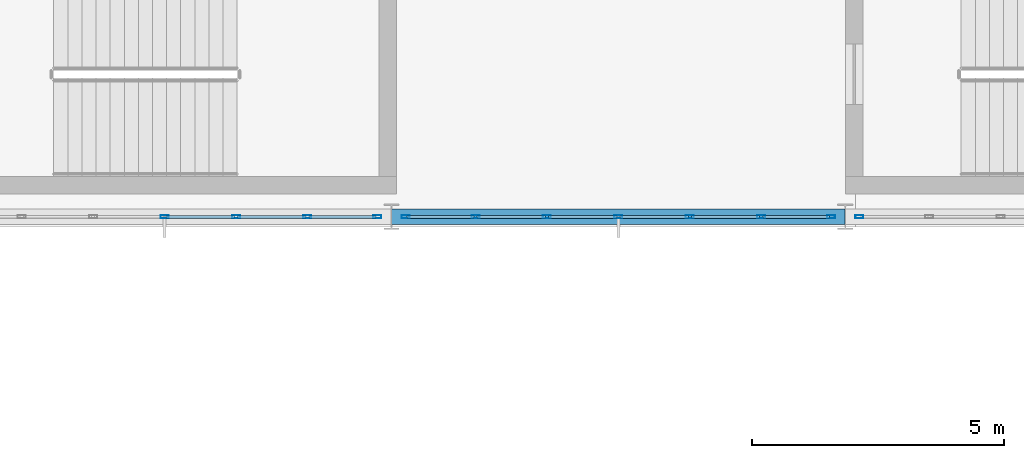
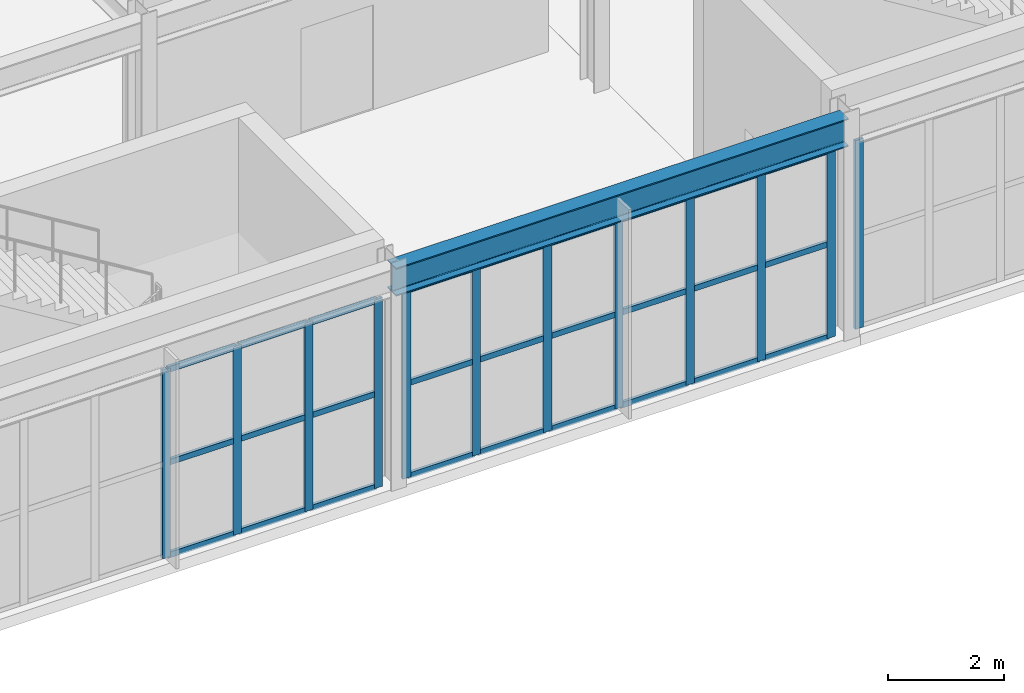
# One storey, part 31 of 112: 39 members, 1 beam, 3 elements without a shape of their own.
"""IFC4 building model written with IfcOpenShell, lengths in metres."""

from ifc_helpers import new_model, si_unit, direction, frame, origin, origin_2d, place, context, subcontext, project, spatial, hollow_rectangle, i_section, extrude, material, material_profile, profile_set, type_object, element, aggregate, save


model = new_model("IFC4")

# Units and contexts
model_context = context("Model", 3, precision=1e-05, world=origin(), true_north=direction((0.0, 1.0)))
body_context = subcontext(model_context, "Body", "Model", "MODEL_VIEW")
ifc_project = project(units=[si_unit("LENGTHUNIT", "METRE"), si_unit("AREAUNIT", "SQUARE_METRE"), si_unit("VOLUMEUNIT", "CUBIC_METRE"), si_unit("PLANEANGLEUNIT", "RADIAN"), si_unit("MASSUNIT", "GRAM", prefix="KILO")], contexts=[model_context])

# Site, building, storey
site_placement = place(None, origin())
site = spatial("IfcSite", under=ifc_project, at=site_placement, CompositionType="ELEMENT")
building_placement = place(site_placement, origin())
building = spatial("IfcBuilding", under=site, at=building_placement, Name="Kaldris Quays Convention Centre", CompositionType="ELEMENT")
storey_placement = place(building_placement, frame((0.0, 0.0, 16.800048828125)))
storey = spatial("IfcBuildingStorey", under=building, at=storey_placement, Name="L03", CompositionType="ELEMENT", Elevation=16.800048828125)

# Curtain wall, members
ifc_material_1 = material(Name="Anodized aluminium AW-6060 and triple glazing", Category="aluminium")
curtain_wall_type = type_object("IfcCurtainWallType", Name="UNITISED CURTAIN WALL CW04", PredefinedType="NOTDEFINED", material=ifc_material_1)
curtain_wall_1_placement = place(storey_placement, origin())
curtain_wall_1 = element("IfcCurtainWall", 1, at=curtain_wall_1_placement, inside=storey, type_object=curtain_wall_type, Name="L03 Unitised Curtain Wall CW04 124", PredefinedType="NOTDEFINED")
ifc_material_2 = material(Name="Anodized aluminium AW-6060", Category="aluminium")
ifc_material_profile_1 = material_profile(ifc_material_2, hollow_rectangle(XDim=0.06005859375, YDim=0.159912109375, WallThickness=0.00390625, at=origin_2d()), Name="RHS 160x60x4")
ifc_profile_set_1 = profile_set([ifc_material_profile_1], Name="Anodized aluminium AW-6060")
member_type_1 = type_object("IfcMemberType", Name="CURTAIN MULLION CWM1", PredefinedType="MULLION", material=ifc_profile_set_1)
member_1_placement = place(storey_placement, frame((114.5, 38.0, 0.0), z_axis=(0.0, 0.0, 1.0), x_axis=(0.0, 1.0, 0.0)))
member_1 = element("IfcMember", 2, at=member_1_placement, type_object=member_type_1, Name="CW04 mullion 4", PredefinedType="MULLION", context=body_context, shape_type="SweptSolid", body=[
    extrude(hollow_rectangle(XDim=0.06005859375, YDim=0.159912109375, WallThickness=0.00390625, at=origin_2d()), origin(), (0.0, 0.0, 1.0), 3.96484375),
])
member_2_placement = place(storey_placement, frame((115.916748046875, 38.0, 0.0), z_axis=(0.0, 0.0, 1.0), x_axis=(0.0, 1.0, 0.0)))
member_2 = element("IfcMember", 3, at=member_2_placement, type_object=member_type_1, Name="CW04 mullion 5", PredefinedType="MULLION", context=body_context, shape_type="SweptSolid", body=[
    extrude(hollow_rectangle(XDim=0.06005859375, YDim=0.159912109375, WallThickness=0.00390625, at=origin_2d()), origin(), (0.0, 0.0, 1.0), 3.96484375),
])
member_3_placement = place(storey_placement, frame((117.333251953125, 38.0, 0.0), z_axis=(0.0, 0.0, 1.0), x_axis=(0.0, 1.0, 0.0)))
member_3 = element("IfcMember", 4, at=member_3_placement, type_object=member_type_1, Name="CW04 mullion 6", PredefinedType="MULLION", context=body_context, shape_type="SweptSolid", body=[
    extrude(hollow_rectangle(XDim=0.06005859375, YDim=0.159912109375, WallThickness=0.00390625, at=origin_2d()), origin(), (0.0, 0.0, 1.0), 3.96484375),
])
member_4_placement = place(storey_placement, frame((118.719970703125, 38.0, 0.0), z_axis=(0.0, 0.0, 1.0), x_axis=(0.0, 1.0, 0.0)))
member_4 = element("IfcMember", 5, at=member_4_placement, type_object=member_type_1, Name="CW04 mullion 7", PredefinedType="MULLION", context=body_context, shape_type="SweptSolid", body=[
    extrude(hollow_rectangle(XDim=0.06005859375, YDim=0.159912109375, WallThickness=0.00390625, at=origin_2d()), origin(), (0.0, 0.0, 1.0), 3.96484375),
])

curtain_wall_2_placement = place(storey_placement, origin())
curtain_wall_2 = element("IfcCurtainWall", 6, at=curtain_wall_2_placement, inside=storey, type_object=curtain_wall_type, Name="L03 Unitised Curtain Wall CW04 125", PredefinedType="NOTDEFINED")
member_5_placement = place(storey_placement, frame((119.280029296875, 38.0, 0.0), z_axis=(0.0, 0.0, 1.0), x_axis=(0.0, 1.0, 0.0)))
member_5 = element("IfcMember", 7, at=member_5_placement, type_object=member_type_1, Name="CW04 mullion 1", PredefinedType="MULLION", context=body_context, shape_type="SweptSolid", body=[
    extrude(hollow_rectangle(XDim=0.06005859375, YDim=0.159912109375, WallThickness=0.00390625, at=origin_2d()), origin(), (0.0, 0.0, 1.0), 3.96484375),
])
member_6_placement = place(storey_placement, frame((120.666748046875, 38.0, 0.0), z_axis=(0.0, 0.0, 1.0), x_axis=(0.0, 1.0, 0.0)))
member_6 = element("IfcMember", 8, at=member_6_placement, type_object=member_type_1, Name="CW04 mullion 2", PredefinedType="MULLION", context=body_context, shape_type="SweptSolid", body=[
    extrude(hollow_rectangle(XDim=0.06005859375, YDim=0.159912109375, WallThickness=0.00390625, at=origin_2d()), origin(), (0.0, 0.0, 1.0), 3.96484375),
])
member_7_placement = place(storey_placement, frame((122.083251953125, 38.0, 0.0), z_axis=(0.0, 0.0, 1.0), x_axis=(0.0, 1.0, 0.0)))
member_7 = element("IfcMember", 9, at=member_7_placement, type_object=member_type_1, Name="CW04 mullion 3", PredefinedType="MULLION", context=body_context, shape_type="SweptSolid", body=[
    extrude(hollow_rectangle(XDim=0.06005859375, YDim=0.159912109375, WallThickness=0.00390625, at=origin_2d()), origin(), (0.0, 0.0, 1.0), 3.96484375),
])
member_8_placement = place(storey_placement, frame((123.5, 38.0, 0.0), z_axis=(0.0, 0.0, 1.0), x_axis=(0.0, 1.0, 0.0)))
member_8 = element("IfcMember", 10, at=member_8_placement, type_object=member_type_1, Name="CW04 mullion 4", PredefinedType="MULLION", context=body_context, shape_type="SweptSolid", body=[
    extrude(hollow_rectangle(XDim=0.06005859375, YDim=0.159912109375, WallThickness=0.00390625, at=origin_2d()), origin(), (0.0, 0.0, 1.0), 3.96484375),
])
member_9_placement = place(storey_placement, frame((124.916748046875, 38.0, 0.0), z_axis=(0.0, 0.0, 1.0), x_axis=(0.0, 1.0, 0.0)))
member_9 = element("IfcMember", 11, at=member_9_placement, type_object=member_type_1, Name="CW04 mullion 5", PredefinedType="MULLION", context=body_context, shape_type="SweptSolid", body=[
    extrude(hollow_rectangle(XDim=0.06005859375, YDim=0.159912109375, WallThickness=0.00390625, at=origin_2d()), origin(), (0.0, 0.0, 1.0), 3.96484375),
])
member_10_placement = place(storey_placement, frame((126.333251953125, 38.0, 0.0), z_axis=(0.0, 0.0, 1.0), x_axis=(0.0, 1.0, 0.0)))
member_10 = element("IfcMember", 12, at=member_10_placement, type_object=member_type_1, Name="CW04 mullion 6", PredefinedType="MULLION", context=body_context, shape_type="SweptSolid", body=[
    extrude(hollow_rectangle(XDim=0.06005859375, YDim=0.159912109375, WallThickness=0.00390625, at=origin_2d()), origin(), (0.0, 0.0, 1.0), 3.96484375),
])
member_11_placement = place(storey_placement, frame((127.719970703125, 38.0, 0.0), z_axis=(0.0, 0.0, 1.0), x_axis=(0.0, 1.0, 0.0)))
member_11 = element("IfcMember", 13, at=member_11_placement, type_object=member_type_1, Name="CW04 mullion 7", PredefinedType="MULLION", context=body_context, shape_type="SweptSolid", body=[
    extrude(hollow_rectangle(XDim=0.06005859375, YDim=0.159912109375, WallThickness=0.00390625, at=origin_2d()), origin(), (0.0, 0.0, 1.0), 3.96484375),
])

# Curtain wall, member
curtain_wall_3_placement = place(storey_placement, origin())
curtain_wall_3 = element("IfcCurtainWall", 14, at=curtain_wall_3_placement, inside=storey, type_object=curtain_wall_type, Name="L03 Unitised Curtain Wall CW04 126", PredefinedType="NOTDEFINED")
member_12_placement = place(storey_placement, frame((128.280029296875, 38.0, 0.0), z_axis=(0.0, 0.0, 1.0), x_axis=(0.0, 1.0, 0.0)))
member_12 = element("IfcMember", 15, at=member_12_placement, type_object=member_type_1, Name="CW04 mullion 1", PredefinedType="MULLION", context=body_context, shape_type="SweptSolid", body=[
    extrude(hollow_rectangle(XDim=0.06005859375, YDim=0.159912109375, WallThickness=0.00390625, at=origin_2d()), origin(), (0.0, 0.0, 1.0), 3.96484375),
])
aggregate(curtain_wall_3, [member_12])

# Member
ifc_material_profile_2 = material_profile(ifc_material_2, hollow_rectangle(XDim=0.06005859375, YDim=0.1201171875, WallThickness=0.00390625, at=origin_2d()), Name="RHS 120x60x4")
ifc_profile_set_2 = profile_set([ifc_material_profile_2], Name="Anodized aluminium AW-6060")
member_type_2 = type_object("IfcMemberType", Name="CURTAIN TRANSOM CWT1", PredefinedType="USERDEFINED", material=ifc_profile_set_2)
member_13_placement = place(storey_placement, frame((114.530029296875, 38.0, 0.030029296875), z_axis=(1.0, 0.0, 0.0), x_axis=(0.0, 1.0, 0.0)))
member_13 = element("IfcMember", 16, at=member_13_placement, type_object=member_type_2, Name="CW04 transom 4.1", ObjectType="TRANSOM", PredefinedType="USERDEFINED", context=body_context, shape_type="SweptSolid", body=[
    extrude(hollow_rectangle(XDim=0.06005859375, YDim=0.1201171875, WallThickness=0.00390625, at=origin_2d()), origin(), (0.0, 0.0, 1.0), 1.356689453125),
])

member_14_placement = place(storey_placement, frame((114.530029296875, 38.0, 1.98193359375), z_axis=(1.0, 0.0, 0.0), x_axis=(0.0, 1.0, 0.0)))
member_14 = element("IfcMember", 17, at=member_14_placement, type_object=member_type_2, Name="CW04 transom 4.2", ObjectType="TRANSOM", PredefinedType="USERDEFINED", context=body_context, shape_type="SweptSolid", body=[
    extrude(hollow_rectangle(XDim=0.06005859375, YDim=0.1201171875, WallThickness=0.00390625, at=origin_2d()), origin(), (0.0, 0.0, 1.0), 1.356689453125),
])

member_15_placement = place(storey_placement, frame((114.530029296875, 38.0, 3.93505859375), z_axis=(1.0, 0.0, 0.0), x_axis=(0.0, 1.0, 0.0)))
member_15 = element("IfcMember", 18, at=member_15_placement, type_object=member_type_2, Name="CW04 transom 4.3", ObjectType="TRANSOM", PredefinedType="USERDEFINED", context=body_context, shape_type="SweptSolid", body=[
    extrude(hollow_rectangle(XDim=0.06005859375, YDim=0.1201171875, WallThickness=0.00390625, at=origin_2d()), origin(), (0.0, 0.0, 1.0), 1.356689453125),
])

member_16_placement = place(storey_placement, frame((115.94677734375, 38.0, 0.030029296875), z_axis=(1.0, 0.0, 0.0), x_axis=(0.0, 1.0, 0.0)))
member_16 = element("IfcMember", 19, at=member_16_placement, type_object=member_type_2, Name="CW04 transom 5.1", ObjectType="TRANSOM", PredefinedType="USERDEFINED", context=body_context, shape_type="SweptSolid", body=[
    extrude(hollow_rectangle(XDim=0.06005859375, YDim=0.1201171875, WallThickness=0.00390625, at=origin_2d()), origin(), (0.0, 0.0, 1.0), 1.3564453125),
])

member_17_placement = place(storey_placement, frame((115.94677734375, 38.0, 1.98193359375), z_axis=(1.0, 0.0, 0.0), x_axis=(0.0, 1.0, 0.0)))
member_17 = element("IfcMember", 20, at=member_17_placement, type_object=member_type_2, Name="CW04 transom 5.2", ObjectType="TRANSOM", PredefinedType="USERDEFINED", context=body_context, shape_type="SweptSolid", body=[
    extrude(hollow_rectangle(XDim=0.06005859375, YDim=0.1201171875, WallThickness=0.00390625, at=origin_2d()), origin(), (0.0, 0.0, 1.0), 1.3564453125),
])

member_18_placement = place(storey_placement, frame((115.94677734375, 38.0, 3.93505859375), z_axis=(1.0, 0.0, 0.0), x_axis=(0.0, 1.0, 0.0)))
member_18 = element("IfcMember", 21, at=member_18_placement, type_object=member_type_2, Name="CW04 transom 5.3", ObjectType="TRANSOM", PredefinedType="USERDEFINED", context=body_context, shape_type="SweptSolid", body=[
    extrude(hollow_rectangle(XDim=0.06005859375, YDim=0.1201171875, WallThickness=0.00390625, at=origin_2d()), origin(), (0.0, 0.0, 1.0), 1.3564453125),
])

member_19_placement = place(storey_placement, frame((117.36328125, 38.0, 0.030029296875), z_axis=(1.0, 0.0, 0.0), x_axis=(0.0, 1.0, 0.0)))
member_19 = element("IfcMember", 22, at=member_19_placement, type_object=member_type_2, Name="CW04 transom 6.1", ObjectType="TRANSOM", PredefinedType="USERDEFINED", context=body_context, shape_type="SweptSolid", body=[
    extrude(hollow_rectangle(XDim=0.06005859375, YDim=0.1201171875, WallThickness=0.00390625, at=origin_2d()), origin(), (0.0, 0.0, 1.0), 1.32666015625),
])

member_20_placement = place(storey_placement, frame((117.36328125, 38.0, 1.98193359375), z_axis=(1.0, 0.0, 0.0), x_axis=(0.0, 1.0, 0.0)))
member_20 = element("IfcMember", 23, at=member_20_placement, type_object=member_type_2, Name="CW04 transom 6.2", ObjectType="TRANSOM", PredefinedType="USERDEFINED", context=body_context, shape_type="SweptSolid", body=[
    extrude(hollow_rectangle(XDim=0.06005859375, YDim=0.1201171875, WallThickness=0.00390625, at=origin_2d()), origin(), (0.0, 0.0, 1.0), 1.32666015625),
])

member_21_placement = place(storey_placement, frame((117.36328125, 38.0, 3.93505859375), z_axis=(1.0, 0.0, 0.0), x_axis=(0.0, 1.0, 0.0)))
member_21 = element("IfcMember", 24, at=member_21_placement, type_object=member_type_2, Name="CW04 transom 6.3", ObjectType="TRANSOM", PredefinedType="USERDEFINED", context=body_context, shape_type="SweptSolid", body=[
    extrude(hollow_rectangle(XDim=0.06005859375, YDim=0.1201171875, WallThickness=0.00390625, at=origin_2d()), origin(), (0.0, 0.0, 1.0), 1.32666015625),
])

aggregate(curtain_wall_1, [member_1, member_2, member_3, member_4, member_13, member_14, member_15, member_16, member_17, member_18, member_19, member_20, member_21])

member_22_placement = place(storey_placement, frame((119.31005859375, 38.0, 0.030029296875), z_axis=(1.0, 0.0, 0.0), x_axis=(0.0, 1.0, 0.0)))
member_22 = element("IfcMember", 25, at=member_22_placement, type_object=member_type_2, Name="CW04 transom 1.1", ObjectType="TRANSOM", PredefinedType="USERDEFINED", context=body_context, shape_type="SweptSolid", body=[
    extrude(hollow_rectangle(XDim=0.06005859375, YDim=0.1201171875, WallThickness=0.00390625, at=origin_2d()), origin(), (0.0, 0.0, 1.0), 1.32666015625),
])

member_23_placement = place(storey_placement, frame((119.31005859375, 38.0, 1.98193359375), z_axis=(1.0, 0.0, 0.0), x_axis=(0.0, 1.0, 0.0)))
member_23 = element("IfcMember", 26, at=member_23_placement, type_object=member_type_2, Name="CW04 transom 1.2", ObjectType="TRANSOM", PredefinedType="USERDEFINED", context=body_context, shape_type="SweptSolid", body=[
    extrude(hollow_rectangle(XDim=0.06005859375, YDim=0.1201171875, WallThickness=0.00390625, at=origin_2d()), origin(), (0.0, 0.0, 1.0), 1.32666015625),
])

member_24_placement = place(storey_placement, frame((119.31005859375, 38.0, 3.93505859375), z_axis=(1.0, 0.0, 0.0), x_axis=(0.0, 1.0, 0.0)))
member_24 = element("IfcMember", 27, at=member_24_placement, type_object=member_type_2, Name="CW04 transom 1.3", ObjectType="TRANSOM", PredefinedType="USERDEFINED", context=body_context, shape_type="SweptSolid", body=[
    extrude(hollow_rectangle(XDim=0.06005859375, YDim=0.1201171875, WallThickness=0.00390625, at=origin_2d()), origin(), (0.0, 0.0, 1.0), 1.32666015625),
])

member_25_placement = place(storey_placement, frame((120.69677734375, 38.0, 0.030029296875), z_axis=(1.0, 0.0, 0.0), x_axis=(0.0, 1.0, 0.0)))
member_25 = element("IfcMember", 28, at=member_25_placement, type_object=member_type_2, Name="CW04 transom 2.1", ObjectType="TRANSOM", PredefinedType="USERDEFINED", context=body_context, shape_type="SweptSolid", body=[
    extrude(hollow_rectangle(XDim=0.06005859375, YDim=0.1201171875, WallThickness=0.00390625, at=origin_2d()), origin(), (0.0, 0.0, 1.0), 1.3564453125),
])

member_26_placement = place(storey_placement, frame((120.69677734375, 38.0, 1.98193359375), z_axis=(1.0, 0.0, 0.0), x_axis=(0.0, 1.0, 0.0)))
member_26 = element("IfcMember", 29, at=member_26_placement, type_object=member_type_2, Name="CW04 transom 2.2", ObjectType="TRANSOM", PredefinedType="USERDEFINED", context=body_context, shape_type="SweptSolid", body=[
    extrude(hollow_rectangle(XDim=0.06005859375, YDim=0.1201171875, WallThickness=0.00390625, at=origin_2d()), origin(), (0.0, 0.0, 1.0), 1.3564453125),
])

member_27_placement = place(storey_placement, frame((120.69677734375, 38.0, 3.93505859375), z_axis=(1.0, 0.0, 0.0), x_axis=(0.0, 1.0, 0.0)))
member_27 = element("IfcMember", 30, at=member_27_placement, type_object=member_type_2, Name="CW04 transom 2.3", ObjectType="TRANSOM", PredefinedType="USERDEFINED", context=body_context, shape_type="SweptSolid", body=[
    extrude(hollow_rectangle(XDim=0.06005859375, YDim=0.1201171875, WallThickness=0.00390625, at=origin_2d()), origin(), (0.0, 0.0, 1.0), 1.3564453125),
])

member_28_placement = place(storey_placement, frame((122.11328125, 38.0, 0.030029296875), z_axis=(1.0, 0.0, 0.0), x_axis=(0.0, 1.0, 0.0)))
member_28 = element("IfcMember", 31, at=member_28_placement, type_object=member_type_2, Name="CW04 transom 3.1", ObjectType="TRANSOM", PredefinedType="USERDEFINED", context=body_context, shape_type="SweptSolid", body=[
    extrude(hollow_rectangle(XDim=0.06005859375, YDim=0.1201171875, WallThickness=0.00390625, at=origin_2d()), origin(), (0.0, 0.0, 1.0), 1.356689453125),
])

member_29_placement = place(storey_placement, frame((122.11328125, 38.0, 1.98193359375), z_axis=(1.0, 0.0, 0.0), x_axis=(0.0, 1.0, 0.0)))
member_29 = element("IfcMember", 32, at=member_29_placement, type_object=member_type_2, Name="CW04 transom 3.2", ObjectType="TRANSOM", PredefinedType="USERDEFINED", context=body_context, shape_type="SweptSolid", body=[
    extrude(hollow_rectangle(XDim=0.06005859375, YDim=0.1201171875, WallThickness=0.00390625, at=origin_2d()), origin(), (0.0, 0.0, 1.0), 1.356689453125),
])

member_30_placement = place(storey_placement, frame((122.11328125, 38.0, 3.93505859375), z_axis=(1.0, 0.0, 0.0), x_axis=(0.0, 1.0, 0.0)))
member_30 = element("IfcMember", 33, at=member_30_placement, type_object=member_type_2, Name="CW04 transom 3.3", ObjectType="TRANSOM", PredefinedType="USERDEFINED", context=body_context, shape_type="SweptSolid", body=[
    extrude(hollow_rectangle(XDim=0.06005859375, YDim=0.1201171875, WallThickness=0.00390625, at=origin_2d()), origin(), (0.0, 0.0, 1.0), 1.356689453125),
])

member_31_placement = place(storey_placement, frame((123.530029296875, 38.0, 0.030029296875), z_axis=(1.0, 0.0, 0.0), x_axis=(0.0, 1.0, 0.0)))
member_31 = element("IfcMember", 34, at=member_31_placement, type_object=member_type_2, Name="CW04 transom 4.1", ObjectType="TRANSOM", PredefinedType="USERDEFINED", context=body_context, shape_type="SweptSolid", body=[
    extrude(hollow_rectangle(XDim=0.06005859375, YDim=0.1201171875, WallThickness=0.00390625, at=origin_2d()), origin(), (0.0, 0.0, 1.0), 1.356689453125),
])

member_32_placement = place(storey_placement, frame((123.530029296875, 38.0, 1.98193359375), z_axis=(1.0, 0.0, 0.0), x_axis=(0.0, 1.0, 0.0)))
member_32 = element("IfcMember", 35, at=member_32_placement, type_object=member_type_2, Name="CW04 transom 4.2", ObjectType="TRANSOM", PredefinedType="USERDEFINED", context=body_context, shape_type="SweptSolid", body=[
    extrude(hollow_rectangle(XDim=0.06005859375, YDim=0.1201171875, WallThickness=0.00390625, at=origin_2d()), origin(), (0.0, 0.0, 1.0), 1.356689453125),
])

member_33_placement = place(storey_placement, frame((123.530029296875, 38.0, 3.93505859375), z_axis=(1.0, 0.0, 0.0), x_axis=(0.0, 1.0, 0.0)))
member_33 = element("IfcMember", 36, at=member_33_placement, type_object=member_type_2, Name="CW04 transom 4.3", ObjectType="TRANSOM", PredefinedType="USERDEFINED", context=body_context, shape_type="SweptSolid", body=[
    extrude(hollow_rectangle(XDim=0.06005859375, YDim=0.1201171875, WallThickness=0.00390625, at=origin_2d()), origin(), (0.0, 0.0, 1.0), 1.356689453125),
])

member_34_placement = place(storey_placement, frame((124.94677734375, 38.0, 0.030029296875), z_axis=(1.0, 0.0, 0.0), x_axis=(0.0, 1.0, 0.0)))
member_34 = element("IfcMember", 37, at=member_34_placement, type_object=member_type_2, Name="CW04 transom 5.1", ObjectType="TRANSOM", PredefinedType="USERDEFINED", context=body_context, shape_type="SweptSolid", body=[
    extrude(hollow_rectangle(XDim=0.06005859375, YDim=0.1201171875, WallThickness=0.00390625, at=origin_2d()), origin(), (0.0, 0.0, 1.0), 1.3564453125),
])

member_35_placement = place(storey_placement, frame((124.94677734375, 38.0, 1.98193359375), z_axis=(1.0, 0.0, 0.0), x_axis=(0.0, 1.0, 0.0)))
member_35 = element("IfcMember", 38, at=member_35_placement, type_object=member_type_2, Name="CW04 transom 5.2", ObjectType="TRANSOM", PredefinedType="USERDEFINED", context=body_context, shape_type="SweptSolid", body=[
    extrude(hollow_rectangle(XDim=0.06005859375, YDim=0.1201171875, WallThickness=0.00390625, at=origin_2d()), origin(), (0.0, 0.0, 1.0), 1.3564453125),
])

member_36_placement = place(storey_placement, frame((124.94677734375, 38.0, 3.93505859375), z_axis=(1.0, 0.0, 0.0), x_axis=(0.0, 1.0, 0.0)))
member_36 = element("IfcMember", 39, at=member_36_placement, type_object=member_type_2, Name="CW04 transom 5.3", ObjectType="TRANSOM", PredefinedType="USERDEFINED", context=body_context, shape_type="SweptSolid", body=[
    extrude(hollow_rectangle(XDim=0.06005859375, YDim=0.1201171875, WallThickness=0.00390625, at=origin_2d()), origin(), (0.0, 0.0, 1.0), 1.3564453125),
])

member_37_placement = place(storey_placement, frame((126.36328125, 38.0, 0.030029296875), z_axis=(1.0, 0.0, 0.0), x_axis=(0.0, 1.0, 0.0)))
member_37 = element("IfcMember", 40, at=member_37_placement, type_object=member_type_2, Name="CW04 transom 6.1", ObjectType="TRANSOM", PredefinedType="USERDEFINED", context=body_context, shape_type="SweptSolid", body=[
    extrude(hollow_rectangle(XDim=0.06005859375, YDim=0.1201171875, WallThickness=0.00390625, at=origin_2d()), origin(), (0.0, 0.0, 1.0), 1.32666015625),
])

member_38_placement = place(storey_placement, frame((126.36328125, 38.0, 1.98193359375), z_axis=(1.0, 0.0, 0.0), x_axis=(0.0, 1.0, 0.0)))
member_38 = element("IfcMember", 41, at=member_38_placement, type_object=member_type_2, Name="CW04 transom 6.2", ObjectType="TRANSOM", PredefinedType="USERDEFINED", context=body_context, shape_type="SweptSolid", body=[
    extrude(hollow_rectangle(XDim=0.06005859375, YDim=0.1201171875, WallThickness=0.00390625, at=origin_2d()), origin(), (0.0, 0.0, 1.0), 1.32666015625),
])

member_39_placement = place(storey_placement, frame((126.36328125, 38.0, 3.93505859375), z_axis=(1.0, 0.0, 0.0), x_axis=(0.0, 1.0, 0.0)))
member_39 = element("IfcMember", 42, at=member_39_placement, type_object=member_type_2, Name="CW04 transom 6.3", ObjectType="TRANSOM", PredefinedType="USERDEFINED", context=body_context, shape_type="SweptSolid", body=[
    extrude(hollow_rectangle(XDim=0.06005859375, YDim=0.1201171875, WallThickness=0.00390625, at=origin_2d()), origin(), (0.0, 0.0, 1.0), 1.32666015625),
])

aggregate(curtain_wall_2, [member_5, member_6, member_7, member_8, member_9, member_10, member_11, member_22, member_23, member_24, member_25, member_26, member_27, member_28, member_29, member_30, member_31, member_32, member_33, member_34, member_35, member_36, member_37, member_38, member_39])

# Beam
ifc_material_3 = material(Name="Steel S355J2", Category="steel")
ifc_material_profile_3 = material_profile(ifc_material_3, i_section(OverallWidth=0.300048828125, OverallDepth=0.590087890625, WebThickness=0.012939453125, FlangeThickness=0.02490234375, FilletRadius=0.027099609375, at=origin_2d()), Name="HEA 600")
ifc_profile_set_3 = profile_set([ifc_material_profile_3], Name="Steel S355J2")
beam_type = type_object("IfcBeamType", Name="STRUCTURAL BEAM BM08", PredefinedType="BEAM", material=ifc_profile_set_3)
beam_placement = place(storey_placement, frame((119.001220703125, 38.0, 4.284912109375), z_axis=(1.0, 0.0, 0.0), x_axis=(0.0, 1.0, 0.0)))
element("IfcBeam", 43, at=beam_placement, inside=storey, type_object=beam_type, Name="L03 Girder BM08 5", PredefinedType="BEAM", context=body_context, shape_type="SweptSolid", body=[
    extrude(i_section(OverallWidth=0.300048828125, OverallDepth=0.590087890625, WebThickness=0.012939453125, FlangeThickness=0.02490234375, FilletRadius=0.027099609375, at=origin_2d()), origin(), (0.0, 0.0, 1.0), 8.99755859375),
])

save(model, "model.ifc")
